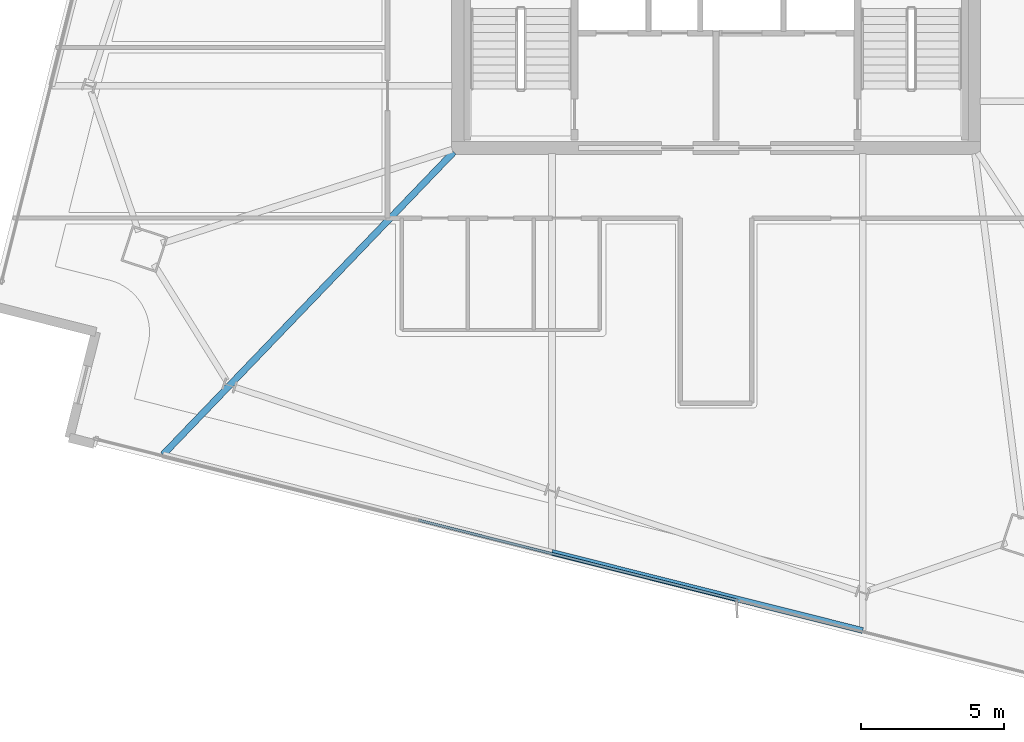
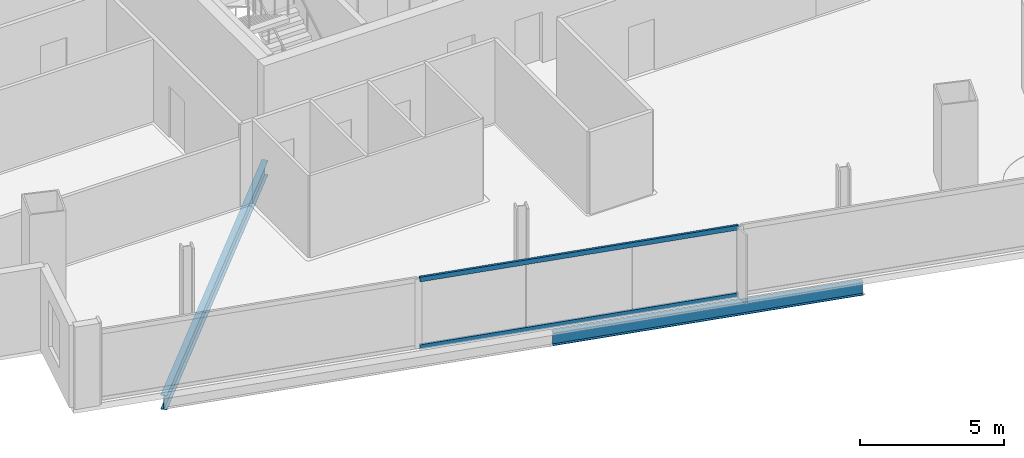
# One storey, part 3 of 28: 2 beams, 2 members, 1 element without a shape of its own.
"""IFC4 building model written with IfcOpenShell, lengths in metres."""

import ifcopenshell
import ifcopenshell.guid

model = None  # the IFC model being written
_history = None  # IfcOwnerHistory: only IFC2X3 demands one
_inside = {}  # id of a spatial element -> (the spatial element, [elements in it])
_under = {}  # id of a project, library or spatial element -> (it, [spatial elements below it])
_declared = {}  # id of a project -> (the project, [libraries it declares])
_typed = {}  # id of a type object -> (the type object, [elements of that type])
_made_of = {}  # id of a material, layer set ... -> (it, [elements and type objects made of it])


def new_model(schema):
    """Start an empty IFC model of exactly this schema.

    Asked for "IFC4X3", IfcOpenShell would pick the latest addendum, in which some entities
    have other attributes; the version numbers below select the first issue.
    IFC2X3 requires an IfcOwnerHistory on every rooted entity: one is made here for all.
    """
    global model, _history
    if schema == "IFC4X3":
        model = ifcopenshell.file(schema_version=(4, 3, 0, 0))
    else:
        model = ifcopenshell.file(schema=schema)
    _inside.clear()
    _under.clear()
    _declared.clear()
    _typed.clear()
    _made_of.clear()
    _history = None
    if model.schema == "IFC2X3":
        org = make("IfcOrganization", Name="unknown")
        user = make(
            "IfcPersonAndOrganization",
            ThePerson=make("IfcPerson", FamilyName="unknown"),
            TheOrganization=org,
        )
        app = make(
            "IfcApplication",
            ApplicationDeveloper=org,
            Version="unknown",
            ApplicationFullName="unknown",
            ApplicationIdentifier="unknown",
        )
        _history = make(
            "IfcOwnerHistory",
            OwningUser=user,
            OwningApplication=app,
            ChangeAction="ADDED",
            CreationDate=0,
        )
    return model


def make(cls, **values):
    """One entity of the class cls with the attributes given. An attribute that is None is left unset."""
    return model.create_entity(
        cls, **{name: value for name, value in values.items() if value is not None}
    )


def rooted(cls, **values):
    """An entity with a GlobalId (a new one), such as an element, a storey or a relation."""
    return make(cls, GlobalId=ifcopenshell.guid.new(), OwnerHistory=_history, **values)


def si_unit(unit_type, name, prefix=None):
    """IfcSIUnit, for example si_unit("LENGTHUNIT", "METRE", prefix="MILLI")."""
    return make("IfcSIUnit", UnitType=unit_type, Prefix=prefix, Name=name)


def assignment(units):
    """IfcUnitAssignment: the units of a project."""
    return None if units is None else make("IfcUnitAssignment", Units=units)


def point(xyz):
    """IfcCartesianPoint."""
    return None if xyz is None else make("IfcCartesianPoint", Coordinates=xyz)


def direction(xyz):
    """IfcDirection."""
    return None if xyz is None else make("IfcDirection", DirectionRatios=xyz)


def frame(location, z_axis=None, x_axis=None):
    """IfcAxis2Placement3D, a coordinate frame: its origin and axes. An axis left out is left unset."""
    return make(
        "IfcAxis2Placement3D",
        Location=point(location),
        Axis=direction(z_axis),
        RefDirection=direction(x_axis),
    )


def frame_2d(location, x_axis=None):
    """IfcAxis2Placement2D, a coordinate frame in the plane: its origin and x axis."""
    return make(
        "IfcAxis2Placement2D", Location=point(location), RefDirection=direction(x_axis)
    )


def origin():
    """The frame at (0, 0, 0) with its axes left unset."""
    return frame((0.0, 0.0, 0.0))


def origin_2d():
    """The frame at (0, 0) in the plane with its x axis left unset."""
    return frame_2d((0.0, 0.0))


def place(relative_to, where):
    """IfcLocalPlacement: puts the frame where relative to a parent placement (None: the world)."""
    return make(
        "IfcLocalPlacement", PlacementRelTo=relative_to, RelativePlacement=where
    )


def context(
    kind, dimensions, precision=None, world=None, true_north=None, identifier=None
):
    """IfcGeometricRepresentationContext, for example the 3D "Model" context."""
    return make(
        "IfcGeometricRepresentationContext",
        ContextIdentifier=identifier,
        ContextType=kind,
        CoordinateSpaceDimension=dimensions,
        Precision=precision,
        WorldCoordinateSystem=world,
        TrueNorth=true_north,
    )


def subcontext(parent, identifier, kind, view, scale=None):
    """IfcGeometricRepresentationSubContext, for example "Body" below "Model"."""
    return make(
        "IfcGeometricRepresentationSubContext",
        ContextIdentifier=identifier,
        ContextType=kind,
        ParentContext=parent,
        TargetScale=scale,
        TargetView=view,
    )


def project(units=None, contexts=None):
    """IfcProject with its units and contexts."""
    return rooted(
        "IfcProject",
        Name="project",
        RepresentationContexts=contexts,
        UnitsInContext=assignment(units),
    )


def spatial(cls, under=None, at=None, **own):
    """A site, building, storey or space (cls), placed at a placement, below another one or the project."""
    s = rooted(cls, ObjectPlacement=at, **own)
    if under is not None:
        _under.setdefault(under.id(), (under, []))[1].append(s)
    return s


def profile(cls, at=None, kind="AREA", **sizes):
    """A parametric profile (cls). Its sizes go by their IFC names, for example OverallWidth=200.0."""
    return make(cls, ProfileType=kind, Position=at, **sizes)


def hollow_rectangle(**sizes):
    """IfcRectangleHollowProfileDef."""
    return profile("IfcRectangleHollowProfileDef", **sizes)


def i_section(**sizes):
    """IfcIShapeProfileDef."""
    return profile("IfcIShapeProfileDef", **sizes)


def extrude(swept, where, along, depth):
    """IfcExtrudedAreaSolid: the profile swept, set in the frame where, extruded along a direction by depth."""
    return make(
        "IfcExtrudedAreaSolid",
        SweptArea=swept,
        Position=where,
        ExtrudedDirection=direction(along),
        Depth=depth,
    )


def shape(context_of_items, identifier, shape_type, items):
    """IfcShapeRepresentation: the items that make up one representation, for example the "Body"."""
    return make(
        "IfcShapeRepresentation",
        ContextOfItems=context_of_items,
        RepresentationIdentifier=identifier,
        RepresentationType=shape_type,
        Items=items,
    )


def material(Name=None, Category=None):
    """IfcMaterial."""
    return make("IfcMaterial", Name=Name, Category=Category)


def material_profile(
    of_material, cross_section, Name=None, Category=None, Priority=None
):
    """IfcMaterialProfile: a cross section and its material."""
    return make(
        "IfcMaterialProfile",
        Name=Name,
        Material=of_material,
        Profile=cross_section,
        Priority=Priority,
        Category=Category,
    )


def profile_set(profiles, Name=None, composite=None):
    """IfcMaterialProfileSet."""
    return make(
        "IfcMaterialProfileSet",
        Name=Name,
        MaterialProfiles=profiles,
        CompositeProfile=composite,
    )


def made_of(thing, what):
    """Note that an element or type object is made of a material, layer set ...; save() writes the relation."""
    if what is not None:
        _made_of.setdefault(what.id(), (what, []))[1].append(thing)
    return thing


def type_object(cls, material=None, **own):
    """A type object (cls), such as IfcWallType, which elements share."""
    return made_of(rooted(cls, **own), material)


def element(
    cls,
    number,
    at=None,
    inside=None,
    cuts=None,
    type_object=None,
    material=None,
    context=None,
    identifier="Body",
    shape_type=None,
    held_by="IfcProductDefinitionShape",
    body=None,
    shapes=None,
    **own,
):
    """One element of the class cls, such as IfcWall. Its Tag is "e" and its number.

    at: its placement. inside: the storey or other place that contains it. cuts: it is an
    opening in that element (IfcRelVoidsElement). A single representation is given by context,
    identifier, shape_type and body (its items); several are given by shapes. held_by: the class
    of the entity that holds the representations. save() writes the other relations.
    """
    e = rooted(cls, Tag="e%d" % number, ObjectPlacement=at, **own)
    if body is not None:
        shapes = [shape(context, identifier, shape_type, body)]
    if shapes is not None:
        e.Representation = make(held_by, Representations=shapes)
    if inside is not None:
        _inside.setdefault(inside.id(), (inside, []))[1].append(e)
    if cuts is not None:
        rooted(
            "IfcRelVoidsElement", RelatingBuildingElement=cuts, RelatedOpeningElement=e
        )
    if type_object is not None:
        _typed.setdefault(type_object.id(), (type_object, []))[1].append(e)
    return made_of(e, material)


def aggregate(whole, parts):
    """IfcRelAggregates: a whole, such as a stair, and the parts it consists of."""
    return rooted("IfcRelAggregates", RelatingObject=whole, RelatedObjects=parts)


def save(model, path):
    """Write the relations noted so far, then the file.

    IfcRelAggregates (storeys below a building ...), IfcRelContainedInSpatialStructure (elements
    in a storey), IfcRelDefinesByType, IfcRelAssociatesMaterial and IfcRelDeclares: one each for
    every whole, place, type object, material and project.
    """
    for whole, parts in _under.values():
        aggregate(whole, parts)
    for where, things in _inside.values():
        rooted(
            "IfcRelContainedInSpatialStructure",
            RelatedElements=things,
            RelatingStructure=where,
        )
    for kind, things in _typed.values():
        rooted("IfcRelDefinesByType", RelatedObjects=things, RelatingType=kind)
    for what, things in _made_of.values():
        rooted("IfcRelAssociatesMaterial", RelatedObjects=things, RelatingMaterial=what)
    for by, libraries in _declared.values():
        rooted("IfcRelDeclares", RelatingContext=by, RelatedDefinitions=libraries)
    model.write(path)


model = new_model("IFC4")

# Units and contexts
model_context = context("Model", 3, precision=1e-05, world=origin(), true_north=direction((0.0, 1.0)))
body_context = subcontext(model_context, "Body", "Model", "MODEL_VIEW")
ifc_project = project(units=[si_unit("LENGTHUNIT", "METRE"), si_unit("AREAUNIT", "SQUARE_METRE"), si_unit("VOLUMEUNIT", "CUBIC_METRE"), si_unit("PLANEANGLEUNIT", "RADIAN"), si_unit("MASSUNIT", "GRAM", prefix="KILO")], contexts=[model_context])

# Site, building, storey
site_placement = place(None, origin())
site = spatial("IfcSite", under=ifc_project, at=site_placement, CompositionType="ELEMENT")
building_placement = place(site_placement, origin())
building = spatial("IfcBuilding", under=site, at=building_placement, Name="Haldenkirk Collegiate Tower", CompositionType="ELEMENT")
storey_placement = place(building_placement, frame((0.0, 0.0, 282.449951171875)))
storey = spatial("IfcBuildingStorey", under=building, at=storey_placement, Name="L71", CompositionType="ELEMENT", Elevation=282.449951171875)

# Beams
ifc_material_1 = material(Name="Steel ASTM A992 Grade 50", Category="steel")
ifc_material_profile_1 = material_profile(ifc_material_1, i_section(OverallWidth=0.22998046875, OverallDepth=0.616943359375, WebThickness=0.01318359375, FlangeThickness=0.022216796875, at=origin_2d()), Name="W24X94")
ifc_profile_set_1 = profile_set([ifc_material_profile_1], Name="Steel ASTM A992 Grade 50")
beam_type_1 = type_object("IfcBeamType", Name="BM-GIRDER-W24X94", PredefinedType="BEAM", material=ifc_profile_set_1)
beam_1_placement = place(storey_placement, frame((16.72412109375, 7.302490234375, -0.578369140625), z_axis=(0.692744411029, 0.721183181299, 0.0), x_axis=(-0.721183181299, 0.692744411029, 0.0)))
element("IfcBeam", 1, at=beam_1_placement, inside=storey, type_object=beam_type_1, Name="L71 primary floor girder 14", PredefinedType="BEAM", context=body_context, shape_type="SweptSolid", body=[
    extrude(i_section(OverallWidth=0.22998046875, OverallDepth=0.616943359375, WebThickness=0.01318359375, FlangeThickness=0.022216796875, at=origin_2d()), origin(), (0.0, 0.0, 1.0), 14.62841796875),
])
ifc_material_profile_2 = material_profile(ifc_material_1, i_section(OverallWidth=0.2099609375, OverallDepth=0.537109375, WebThickness=0.010986328125, FlangeThickness=0.017333984375, at=origin_2d()), Name="W21X68")
ifc_profile_set_2 = profile_set([ifc_material_profile_2], Name="Steel ASTM A992 Grade 50")
beam_type_2 = type_object("IfcBeamType", Name="BM-SPANDREL-W21X68", PredefinedType="SPANDREL", material=ifc_profile_set_2)
beam_2_placement = place(storey_placement, frame((30.283203125, 3.896728515625, -0.538330078125), z_axis=(0.969873054852, -0.243610873059, 0.0), x_axis=(0.243610873059, 0.969873054852, 0.0)))
element("IfcBeam", 2, at=beam_2_placement, inside=storey, type_object=beam_type_2, Name="L71 outer facade edge beam 4B", PredefinedType="SPANDREL", context=body_context, shape_type="SweptSolid", body=[
    extrude(i_section(OverallWidth=0.2099609375, OverallDepth=0.537109375, WebThickness=0.010986328125, FlangeThickness=0.017333984375, at=origin_2d()), origin(), (0.0, 0.0, 1.0), 11.164306640625),
])

# Curtain wall, members
ifc_material_2 = material(Name="Anodised architectural bronze aluminium", Category="aluminium")
curtain_wall_type = type_object("IfcCurtainWallType", Name="CW-SYS1B-CONVEX-HI", PredefinedType="USERDEFINED", material=ifc_material_2)
curtain_wall_placement = place(storey_placement, origin())
curtain_wall = element("IfcCurtainWall", 3, at=curtain_wall_placement, inside=storey, type_object=curtain_wall_type, Name="L71 Upper tower high-wind convex bronze unitised curtain wall", ObjectType="UNITISED CURTAIN WALL", PredefinedType="USERDEFINED")
ifc_material_profile_3 = material_profile(ifc_material_2, hollow_rectangle(XDim=0.0849609375, YDim=0.199951171875, WallThickness=0.0048828125, at=origin_2d()), Name="CW-TRN-1B")
ifc_profile_set_3 = profile_set([ifc_material_profile_3], Name="Anodised architectural bronze aluminium")
member_type = type_object("IfcMemberType", Name="CW-TRN-1B", PredefinedType="USERDEFINED", material=ifc_profile_set_3)
member_1_placement = place(storey_placement, frame((36.756103515625, 2.229736328125, 0.04248046875), z_axis=(-0.969875300696, 0.243601931643, 0.0), x_axis=(-0.243601931643, -0.969875300696, 0.0)))
member_1 = element("IfcMember", 4, at=member_1_placement, type_object=member_type, Name="CW-1B transom 2.1", ObjectType="TRANSOM", PredefinedType="USERDEFINED", context=body_context, shape_type="SweptSolid", body=[
    extrude(hollow_rectangle(XDim=0.0849609375, YDim=0.199951171875, WallThickness=0.0048828125, at=origin_2d()), origin(), (0.0, 0.0, 1.0), 11.473388671875),
])
member_2_placement = place(storey_placement, frame((36.756103515625, 2.229736328125, 2.8955078125), z_axis=(-0.969875300696, 0.243601931643, 0.0), x_axis=(-0.243601931643, -0.969875300696, 0.0)))
member_2 = element("IfcMember", 5, at=member_2_placement, type_object=member_type, Name="CW-1B transom 2.2", ObjectType="TRANSOM", PredefinedType="USERDEFINED", context=body_context, shape_type="SweptSolid", body=[
    extrude(hollow_rectangle(XDim=0.0849609375, YDim=0.199951171875, WallThickness=0.0048828125, at=origin_2d()), origin(), (0.0, 0.0, 1.0), 11.473388671875),
])
aggregate(curtain_wall, [member_1, member_2])

save(model, "model.ifc")
